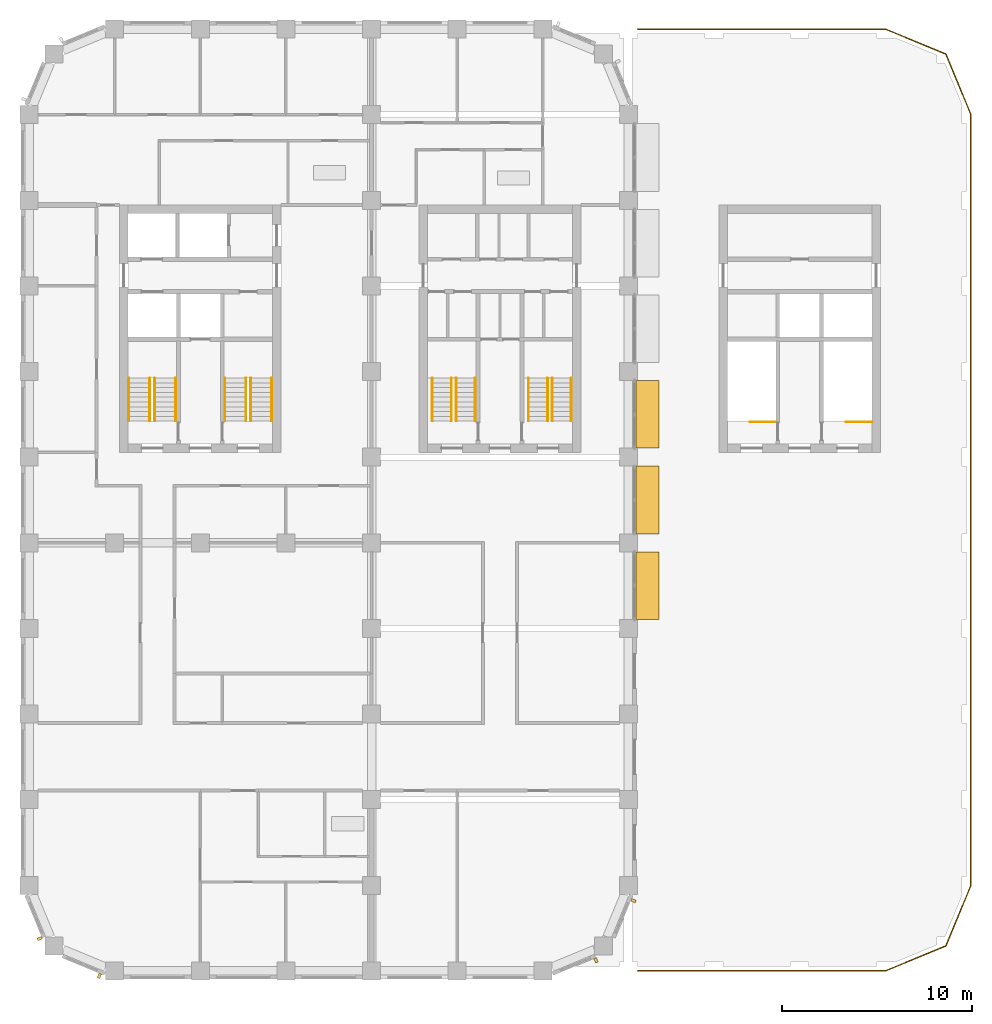
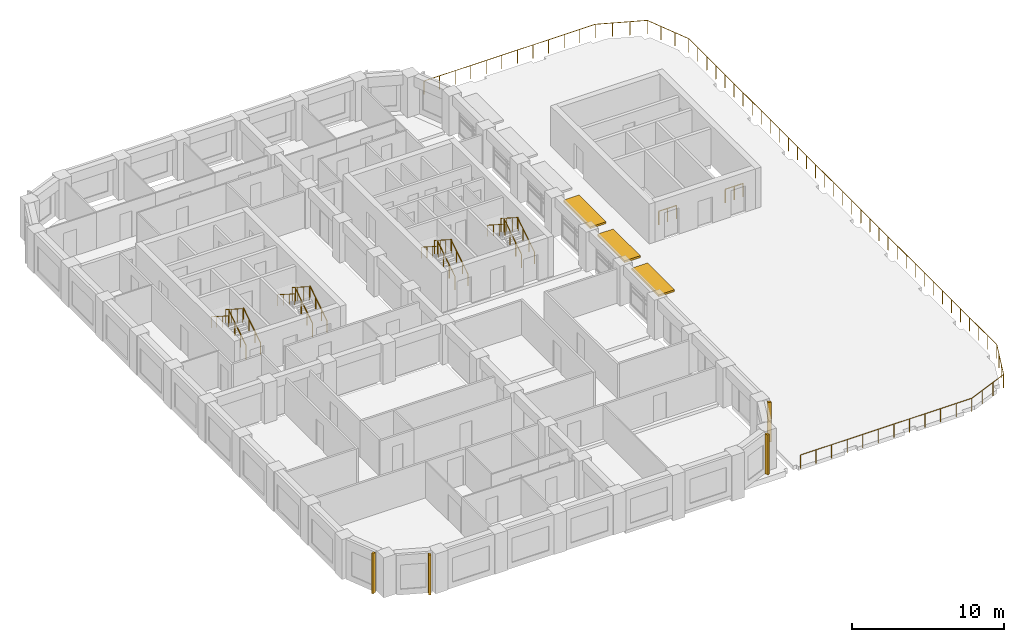
# One storey, part 13 of 15: 19 railings, 7 shading devices.
"""IFC4 building model written with IfcOpenShell, lengths in metres."""

from ifc_helpers import new_model, si_unit, direction, frame, origin, origin_2d, place, context, subcontext, project, spatial, rectangle, circle, extrude, material, layer, layer_set, type_object, element, save


model = new_model("IFC4")

# Units and contexts
model_context = context("Model", 3, precision=1e-05, world=origin(), true_north=direction((0.0, 1.0)))
body_context = subcontext(model_context, "Body", "Model", "MODEL_VIEW")
ifc_project = project(units=[si_unit("LENGTHUNIT", "METRE"), si_unit("AREAUNIT", "SQUARE_METRE"), si_unit("VOLUMEUNIT", "CUBIC_METRE"), si_unit("PLANEANGLEUNIT", "RADIAN"), si_unit("MASSUNIT", "GRAM", prefix="KILO")], contexts=[model_context])

# Site, building, storey
site_placement = place(None, origin())
site = spatial("IfcSite", under=ifc_project, at=site_placement, CompositionType="ELEMENT")
building_placement = place(site_placement, origin())
building = spatial("IfcBuilding", under=site, at=building_placement, Name="Girih Gate Residences", CompositionType="ELEMENT")
storey_placement = place(building_placement, frame((0.0, 0.0, 176.300048828125)))
storey = spatial("IfcBuildingStorey", under=building, at=storey_placement, Name="L48", CompositionType="ELEMENT", Elevation=176.300048828125)

# Shading devices
ifc_material_1 = material(Name="Precast concrete C50/60", Category="concrete")
shading_device_type_1 = type_object("IfcShadingDeviceType", Name="Corner rib 150x250", PredefinedType="USERDEFINED", material=ifc_material_1)
for number, where, z_axis, x_axis, name in (
    (1, (29.794677734375, 0.562255859375, 0.0), (0.0, 0.0, 1.0), (0.923879532511, 0.382683432365, 0.0), "Corner rib SE0270_0000.0"),
    (2, (31.760498046875, 3.691650390625, 0.0), (0.0, 0.0, 1.0), (0.382683432365, 0.923879532511, 0.0), "Corner rib SE0302_0013.0"),
    (3, (0.562255859375, 1.705322265625, 0.0), (0.0, 0.0, 1.0), (0.382683432365, -0.923879532511, 0.0), "Corner rib SW0000_0045.0"),
    (4, (3.691650390625, -0.260498046875, 0.0), (0.0, 0.0, 1.0), (0.923879532511, -0.382683432365, 0.0), "Corner rib SW0013_0013.0"),
):
    element("IfcShadingDevice", number, at=place(storey_placement, frame(where, z_axis=z_axis, x_axis=x_axis)), inside=storey, type_object=shading_device_type_1, Name=name, ObjectType="FIN", PredefinedType="USERDEFINED", context=body_context, shape_type="SweptSolid", body=[
        extrude(rectangle(XDim=0.14990234375, YDim=0.25, at=origin_2d()), origin(), (0.0, 0.0, 1.0), 3.199951171875),
    ])
ifc_material_2 = material(Name="Aluminium canopy", Category="aluminium")
ifc_layer = layer(ifc_material_2, 0.14990234375)
ifc_layer_set = layer_set([ifc_layer], Name="Sky lounge canopy 1200")
shading_device_type_2 = type_object("IfcShadingDeviceType", Name="Sky lounge canopy 1200", PredefinedType="AWNING", material=ifc_layer_set)
for number, where, z_axis, x_axis, name in (
    (5, (32.5048828125, 20.25, 2.60009765625), (0.0, 0.0, 1.0), (0.0, 1.0, 0.0), "Sky lounge canopy E0315_0045.3"),
    (6, (32.5048828125, 24.75, 2.60009765625), (0.0, 0.0, 1.0), (0.0, 1.0, 0.0), "Sky lounge canopy E0315_0045.4"),
    (7, (32.5048828125, 29.25, 2.60009765625), (0.0, 0.0, 1.0), (0.0, 1.0, 0.0), "Sky lounge canopy E0315_0045.5"),
):
    element("IfcShadingDevice", number, at=place(storey_placement, frame(where, z_axis=z_axis, x_axis=x_axis)), inside=storey, type_object=shading_device_type_2, Name=name, PredefinedType="AWNING", context=body_context, shape_type="SweptSolid", body=[
        extrude(rectangle(XDim=3.550048828125, YDim=1.199951171875, at=origin_2d()), origin(), (0.0, 0.0, 1.0), 0.14990234375),
    ])

# Railings
ifc_material_3 = material(Name="Stainless steel", Category="steel")
railing_type_1 = type_object("IfcRailingType", Name="Stair guard 1100", PredefinedType="GUARDRAIL", material=ifc_material_3)
railing_1_placement = place(storey_placement, frame((6.60009765625, 28.89990234375, 0.159912109375)))
element("IfcRailing", 8, at=railing_1_placement, inside=storey, type_object=railing_type_1, Name="L48 ST-W1 stair guard 1", PredefinedType="GUARDRAIL", context=body_context, shape_type="SweptSolid", body=[
    extrude(circle(Radius=0.02392578125, at=origin_2d()), frame((0.0, 0.0, 1.076171875), z_axis=(0.0, 0.842281359387, 0.539038135598), x_axis=(-1.0, 0.0, 0.0)), (0.0, 0.0, 1.0), 2.67138671875),
    extrude(circle(Radius=0.02099609375, at=origin_2d()), origin(), (0.0, 0.0, 1.0), 1.052001953125),
    extrude(circle(Radius=0.02099609375, at=origin_2d()), frame((0.0, 0.75, 0.47998046875)), (0.0, 0.0, 1.0), 1.052001953125),
    extrude(circle(Radius=0.02099609375, at=origin_2d()), frame((0.0, 1.5, 0.9599609375)), (0.0, 0.0, 1.0), 1.052001953125),
    extrude(circle(Radius=0.02099609375, at=origin_2d()), frame((0.0, 2.25, 1.43994140625)), (0.0, 0.0, 1.0), 1.052001953125),
])
railing_2_placement = place(storey_placement, frame((6.35009765625, 31.14990234375, 1.760009765625)))
element("IfcRailing", 9, at=railing_2_placement, inside=storey, type_object=railing_type_1, Name="L48 ST-W1 stair guard 2", PredefinedType="GUARDRAIL", context=body_context, shape_type="SweptSolid", body=[
    extrude(circle(Radius=0.02392578125, at=origin_2d()), frame((0.0, 0.0, 1.076171875), z_axis=(0.0, -0.842281359387, 0.539038135598), x_axis=(1.0, 0.0, 0.0)), (0.0, 0.0, 1.0), 2.67138671875),
    extrude(circle(Radius=0.02099609375, at=origin_2d()), origin(), (0.0, 0.0, 1.0), 1.052001953125),
    extrude(circle(Radius=0.02099609375, at=origin_2d()), frame((0.0, -0.75, 0.47998046875)), (0.0, 0.0, 1.0), 1.052001953125),
    extrude(circle(Radius=0.02099609375, at=origin_2d()), frame((0.0, -1.5, 0.9599609375)), (0.0, 0.0, 1.0), 1.052001953125),
    extrude(circle(Radius=0.02099609375, at=origin_2d()), frame((0.0, -2.25, 1.43994140625)), (0.0, 0.0, 1.0), 1.052001953125),
])
railing_3_placement = place(storey_placement, frame((11.64990234375, 28.89990234375, 0.159912109375)))
element("IfcRailing", 10, at=railing_3_placement, inside=storey, type_object=railing_type_1, Name="L48 ST-W2 stair guard 1", PredefinedType="GUARDRAIL", context=body_context, shape_type="SweptSolid", body=[
    extrude(circle(Radius=0.02392578125, at=origin_2d()), frame((0.0, 0.0, 1.076171875), z_axis=(0.0, 0.842281359387, 0.539038135598), x_axis=(-1.0, 0.0, 0.0)), (0.0, 0.0, 1.0), 2.67138671875),
    extrude(circle(Radius=0.02099609375, at=origin_2d()), origin(), (0.0, 0.0, 1.0), 1.052001953125),
    extrude(circle(Radius=0.02099609375, at=origin_2d()), frame((0.0, 0.75, 0.47998046875)), (0.0, 0.0, 1.0), 1.052001953125),
    extrude(circle(Radius=0.02099609375, at=origin_2d()), frame((0.0, 1.5, 0.9599609375)), (0.0, 0.0, 1.0), 1.052001953125),
    extrude(circle(Radius=0.02099609375, at=origin_2d()), frame((0.0, 2.25, 1.43994140625)), (0.0, 0.0, 1.0), 1.052001953125),
])
railing_4_placement = place(storey_placement, frame((11.39990234375, 31.14990234375, 1.760009765625)))
element("IfcRailing", 11, at=railing_4_placement, inside=storey, type_object=railing_type_1, Name="L48 ST-W2 stair guard 2", PredefinedType="GUARDRAIL", context=body_context, shape_type="SweptSolid", body=[
    extrude(circle(Radius=0.02392578125, at=origin_2d()), frame((0.0, 0.0, 1.076171875), z_axis=(0.0, -0.842281359387, 0.539038135598), x_axis=(1.0, 0.0, 0.0)), (0.0, 0.0, 1.0), 2.67138671875),
    extrude(circle(Radius=0.02099609375, at=origin_2d()), origin(), (0.0, 0.0, 1.0), 1.052001953125),
    extrude(circle(Radius=0.02099609375, at=origin_2d()), frame((0.0, -0.75, 0.47998046875)), (0.0, 0.0, 1.0), 1.052001953125),
    extrude(circle(Radius=0.02099609375, at=origin_2d()), frame((0.0, -1.5, 0.9599609375)), (0.0, 0.0, 1.0), 1.052001953125),
    extrude(circle(Radius=0.02099609375, at=origin_2d()), frame((0.0, -2.25, 1.43994140625)), (0.0, 0.0, 1.0), 1.052001953125),
])
for number, where, name in (
    (12, (44.300048828125, 28.85009765625, 0.0), "L48 ST-E1 top well guard 1"),
    (13, (39.25, 28.85009765625, 0.0), "L48 ST-E2 top well guard 1"),
):
    element("IfcRailing", number, at=place(storey_placement, frame(where)), inside=storey, type_object=railing_type_1, Name=name, PredefinedType="GUARDRAIL", context=body_context, shape_type="SweptSolid", body=[
        extrude(circle(Radius=0.02392578125, at=origin_2d()), frame((0.0, 0.0, 1.076171875), z_axis=(-1.0, 0.0, 0.0), x_axis=(0.0, -1.0, 0.0)), (0.0, 0.0, 1.0), 1.35009765625),
        extrude(circle(Radius=0.02099609375, at=origin_2d()), origin(), (0.0, 0.0, 1.0), 1.052001953125),
        extrude(circle(Radius=0.02099609375, at=origin_2d()), frame((-0.675048828125, 0.0, 0.0)), (0.0, 0.0, 1.0), 1.052001953125),
        extrude(circle(Radius=0.02099609375, at=origin_2d()), frame((-1.35009765625, 0.0, 0.0)), (0.0, 0.0, 1.0), 1.052001953125),
    ])
railing_5_placement = place(storey_placement, frame((22.449951171875, 28.89990234375, 0.159912109375)))
element("IfcRailing", 14, at=railing_5_placement, inside=storey, type_object=railing_type_1, Name="L48 ST-C1 stair guard 1", PredefinedType="GUARDRAIL", context=body_context, shape_type="SweptSolid", body=[
    extrude(circle(Radius=0.02392578125, at=origin_2d()), frame((0.0, 0.0, 1.076171875), z_axis=(0.0, 0.842281359387, 0.539038135598), x_axis=(-1.0, 0.0, 0.0)), (0.0, 0.0, 1.0), 2.67138671875),
    extrude(circle(Radius=0.02099609375, at=origin_2d()), origin(), (0.0, 0.0, 1.0), 1.052001953125),
    extrude(circle(Radius=0.02099609375, at=origin_2d()), frame((0.0, 0.75, 0.47998046875)), (0.0, 0.0, 1.0), 1.052001953125),
    extrude(circle(Radius=0.02099609375, at=origin_2d()), frame((0.0, 1.5, 0.9599609375)), (0.0, 0.0, 1.0), 1.052001953125),
    extrude(circle(Radius=0.02099609375, at=origin_2d()), frame((0.0, 2.25, 1.43994140625)), (0.0, 0.0, 1.0), 1.052001953125),
])
railing_6_placement = place(storey_placement, frame((22.199951171875, 31.14990234375, 1.760009765625)))
element("IfcRailing", 15, at=railing_6_placement, inside=storey, type_object=railing_type_1, Name="L48 ST-C1 stair guard 2", PredefinedType="GUARDRAIL", context=body_context, shape_type="SweptSolid", body=[
    extrude(circle(Radius=0.02392578125, at=origin_2d()), frame((0.0, 0.0, 1.076171875), z_axis=(0.0, -0.842281359387, 0.539038135598), x_axis=(1.0, 0.0, 0.0)), (0.0, 0.0, 1.0), 2.67138671875),
    extrude(circle(Radius=0.02099609375, at=origin_2d()), origin(), (0.0, 0.0, 1.0), 1.052001953125),
    extrude(circle(Radius=0.02099609375, at=origin_2d()), frame((0.0, -0.75, 0.47998046875)), (0.0, 0.0, 1.0), 1.052001953125),
    extrude(circle(Radius=0.02099609375, at=origin_2d()), frame((0.0, -1.5, 0.9599609375)), (0.0, 0.0, 1.0), 1.052001953125),
    extrude(circle(Radius=0.02099609375, at=origin_2d()), frame((0.0, -2.25, 1.43994140625)), (0.0, 0.0, 1.0), 1.052001953125),
])
railing_7_placement = place(storey_placement, frame((27.5, 28.89990234375, 0.159912109375)))
element("IfcRailing", 16, at=railing_7_placement, inside=storey, type_object=railing_type_1, Name="L48 ST-C2 stair guard 1", PredefinedType="GUARDRAIL", context=body_context, shape_type="SweptSolid", body=[
    extrude(circle(Radius=0.02392578125, at=origin_2d()), frame((0.0, 0.0, 1.076171875), z_axis=(0.0, 0.842281359387, 0.539038135598), x_axis=(-1.0, 0.0, 0.0)), (0.0, 0.0, 1.0), 2.67138671875),
    extrude(circle(Radius=0.02099609375, at=origin_2d()), origin(), (0.0, 0.0, 1.0), 1.052001953125),
    extrude(circle(Radius=0.02099609375, at=origin_2d()), frame((0.0, 0.75, 0.47998046875)), (0.0, 0.0, 1.0), 1.052001953125),
    extrude(circle(Radius=0.02099609375, at=origin_2d()), frame((0.0, 1.5, 0.9599609375)), (0.0, 0.0, 1.0), 1.052001953125),
    extrude(circle(Radius=0.02099609375, at=origin_2d()), frame((0.0, 2.25, 1.43994140625)), (0.0, 0.0, 1.0), 1.052001953125),
])
railing_8_placement = place(storey_placement, frame((27.25, 31.14990234375, 1.760009765625)))
element("IfcRailing", 17, at=railing_8_placement, inside=storey, type_object=railing_type_1, Name="L48 ST-C2 stair guard 2", PredefinedType="GUARDRAIL", context=body_context, shape_type="SweptSolid", body=[
    extrude(circle(Radius=0.02392578125, at=origin_2d()), frame((0.0, 0.0, 1.076171875), z_axis=(0.0, -0.842281359387, 0.539038135598), x_axis=(1.0, 0.0, 0.0)), (0.0, 0.0, 1.0), 2.67138671875),
    extrude(circle(Radius=0.02099609375, at=origin_2d()), origin(), (0.0, 0.0, 1.0), 1.052001953125),
    extrude(circle(Radius=0.02099609375, at=origin_2d()), frame((0.0, -0.75, 0.47998046875)), (0.0, 0.0, 1.0), 1.052001953125),
    extrude(circle(Radius=0.02099609375, at=origin_2d()), frame((0.0, -1.5, 0.9599609375)), (0.0, 0.0, 1.0), 1.052001953125),
    extrude(circle(Radius=0.02099609375, at=origin_2d()), frame((0.0, -2.25, 1.43994140625)), (0.0, 0.0, 1.0), 1.052001953125),
])
railing_type_2 = type_object("IfcRailingType", Name="Stair handrail 900", PredefinedType="HANDRAIL", material=ifc_material_3)
railing_9_placement = place(storey_placement, frame((7.699951171875, 28.89990234375, 0.159912109375)))
element("IfcRailing", 18, at=railing_9_placement, inside=storey, type_object=railing_type_2, Name="L48 ST-W1 stair handrail 1", PredefinedType="HANDRAIL", context=body_context, shape_type="SweptSolid", body=[
    extrude(circle(Radius=0.02392578125, at=origin_2d()), frame((0.0, 0.0, 0.8857421875), z_axis=(0.0, 0.842281359387, 0.539038135598), x_axis=(-1.0, 0.0, 0.0)), (0.0, 0.0, 1.0), 2.67138671875),
    extrude(circle(Radius=0.02099609375, at=origin_2d()), origin(), (0.0, 0.0, 1.0), 0.86181640625),
    extrude(circle(Radius=0.02099609375, at=origin_2d()), frame((0.0, 0.75, 0.47998046875)), (0.0, 0.0, 1.0), 0.86181640625),
    extrude(circle(Radius=0.02099609375, at=origin_2d()), frame((0.0, 1.5, 0.9599609375)), (0.0, 0.0, 1.0), 0.86181640625),
    extrude(circle(Radius=0.02099609375, at=origin_2d()), frame((0.0, 2.25, 1.43994140625)), (0.0, 0.0, 1.0), 0.86181640625),
])
railing_10_placement = place(storey_placement, frame((5.25, 31.14990234375, 1.760009765625)))
element("IfcRailing", 19, at=railing_10_placement, inside=storey, type_object=railing_type_2, Name="L48 ST-W1 stair handrail 2", PredefinedType="HANDRAIL", context=body_context, shape_type="SweptSolid", body=[
    extrude(circle(Radius=0.02392578125, at=origin_2d()), frame((0.0, 0.0, 0.8857421875), z_axis=(0.0, -0.842281359387, 0.539038135598), x_axis=(1.0, 0.0, 0.0)), (0.0, 0.0, 1.0), 2.67138671875),
    extrude(circle(Radius=0.02099609375, at=origin_2d()), origin(), (0.0, 0.0, 1.0), 0.86181640625),
    extrude(circle(Radius=0.02099609375, at=origin_2d()), frame((0.0, -0.75, 0.47998046875)), (0.0, 0.0, 1.0), 0.86181640625),
    extrude(circle(Radius=0.02099609375, at=origin_2d()), frame((0.0, -1.5, 0.9599609375)), (0.0, 0.0, 1.0), 0.86181640625),
    extrude(circle(Radius=0.02099609375, at=origin_2d()), frame((0.0, -2.25, 1.43994140625)), (0.0, 0.0, 1.0), 0.86181640625),
])
railing_11_placement = place(storey_placement, frame((12.75, 28.89990234375, 0.159912109375)))
element("IfcRailing", 20, at=railing_11_placement, inside=storey, type_object=railing_type_2, Name="L48 ST-W2 stair handrail 1", PredefinedType="HANDRAIL", context=body_context, shape_type="SweptSolid", body=[
    extrude(circle(Radius=0.02392578125, at=origin_2d()), frame((0.0, 0.0, 0.8857421875), z_axis=(0.0, 0.842281359387, 0.539038135598), x_axis=(-1.0, 0.0, 0.0)), (0.0, 0.0, 1.0), 2.67138671875),
    extrude(circle(Radius=0.02099609375, at=origin_2d()), origin(), (0.0, 0.0, 1.0), 0.86181640625),
    extrude(circle(Radius=0.02099609375, at=origin_2d()), frame((0.0, 0.75, 0.47998046875)), (0.0, 0.0, 1.0), 0.86181640625),
    extrude(circle(Radius=0.02099609375, at=origin_2d()), frame((0.0, 1.5, 0.9599609375)), (0.0, 0.0, 1.0), 0.86181640625),
    extrude(circle(Radius=0.02099609375, at=origin_2d()), frame((0.0, 2.25, 1.43994140625)), (0.0, 0.0, 1.0), 0.86181640625),
])
railing_12_placement = place(storey_placement, frame((10.300048828125, 31.14990234375, 1.760009765625)))
element("IfcRailing", 21, at=railing_12_placement, inside=storey, type_object=railing_type_2, Name="L48 ST-W2 stair handrail 2", PredefinedType="HANDRAIL", context=body_context, shape_type="SweptSolid", body=[
    extrude(circle(Radius=0.02392578125, at=origin_2d()), frame((0.0, 0.0, 0.8857421875), z_axis=(0.0, -0.842281359387, 0.539038135598), x_axis=(1.0, 0.0, 0.0)), (0.0, 0.0, 1.0), 2.67138671875),
    extrude(circle(Radius=0.02099609375, at=origin_2d()), origin(), (0.0, 0.0, 1.0), 0.86181640625),
    extrude(circle(Radius=0.02099609375, at=origin_2d()), frame((0.0, -0.75, 0.47998046875)), (0.0, 0.0, 1.0), 0.86181640625),
    extrude(circle(Radius=0.02099609375, at=origin_2d()), frame((0.0, -1.5, 0.9599609375)), (0.0, 0.0, 1.0), 0.86181640625),
    extrude(circle(Radius=0.02099609375, at=origin_2d()), frame((0.0, -2.25, 1.43994140625)), (0.0, 0.0, 1.0), 0.86181640625),
])
railing_13_placement = place(storey_placement, frame((23.449951171875, 28.89990234375, 0.159912109375)))
element("IfcRailing", 22, at=railing_13_placement, inside=storey, type_object=railing_type_2, Name="L48 ST-C1 stair handrail 1", PredefinedType="HANDRAIL", context=body_context, shape_type="SweptSolid", body=[
    extrude(circle(Radius=0.02392578125, at=origin_2d()), frame((0.0, 0.0, 0.8857421875), z_axis=(0.0, 0.842281359387, 0.539038135598), x_axis=(-1.0, 0.0, 0.0)), (0.0, 0.0, 1.0), 2.67138671875),
    extrude(circle(Radius=0.02099609375, at=origin_2d()), origin(), (0.0, 0.0, 1.0), 0.86181640625),
    extrude(circle(Radius=0.02099609375, at=origin_2d()), frame((0.0, 0.75, 0.47998046875)), (0.0, 0.0, 1.0), 0.86181640625),
    extrude(circle(Radius=0.02099609375, at=origin_2d()), frame((0.0, 1.5, 0.9599609375)), (0.0, 0.0, 1.0), 0.86181640625),
    extrude(circle(Radius=0.02099609375, at=origin_2d()), frame((0.0, 2.25, 1.43994140625)), (0.0, 0.0, 1.0), 0.86181640625),
])
railing_14_placement = place(storey_placement, frame((21.199951171875, 31.14990234375, 1.760009765625)))
element("IfcRailing", 23, at=railing_14_placement, inside=storey, type_object=railing_type_2, Name="L48 ST-C1 stair handrail 2", PredefinedType="HANDRAIL", context=body_context, shape_type="SweptSolid", body=[
    extrude(circle(Radius=0.02392578125, at=origin_2d()), frame((0.0, 0.0, 0.8857421875), z_axis=(0.0, -0.842281359387, 0.539038135598), x_axis=(1.0, 0.0, 0.0)), (0.0, 0.0, 1.0), 2.67138671875),
    extrude(circle(Radius=0.02099609375, at=origin_2d()), origin(), (0.0, 0.0, 1.0), 0.86181640625),
    extrude(circle(Radius=0.02099609375, at=origin_2d()), frame((0.0, -0.75, 0.47998046875)), (0.0, 0.0, 1.0), 0.86181640625),
    extrude(circle(Radius=0.02099609375, at=origin_2d()), frame((0.0, -1.5, 0.9599609375)), (0.0, 0.0, 1.0), 0.86181640625),
    extrude(circle(Radius=0.02099609375, at=origin_2d()), frame((0.0, -2.25, 1.43994140625)), (0.0, 0.0, 1.0), 0.86181640625),
])
railing_15_placement = place(storey_placement, frame((28.5, 28.89990234375, 0.159912109375)))
element("IfcRailing", 24, at=railing_15_placement, inside=storey, type_object=railing_type_2, Name="L48 ST-C2 stair handrail 1", PredefinedType="HANDRAIL", context=body_context, shape_type="SweptSolid", body=[
    extrude(circle(Radius=0.02392578125, at=origin_2d()), frame((0.0, 0.0, 0.8857421875), z_axis=(0.0, 0.842281359387, 0.539038135598), x_axis=(-1.0, 0.0, 0.0)), (0.0, 0.0, 1.0), 2.67138671875),
    extrude(circle(Radius=0.02099609375, at=origin_2d()), origin(), (0.0, 0.0, 1.0), 0.86181640625),
    extrude(circle(Radius=0.02099609375, at=origin_2d()), frame((0.0, 0.75, 0.47998046875)), (0.0, 0.0, 1.0), 0.86181640625),
    extrude(circle(Radius=0.02099609375, at=origin_2d()), frame((0.0, 1.5, 0.9599609375)), (0.0, 0.0, 1.0), 0.86181640625),
    extrude(circle(Radius=0.02099609375, at=origin_2d()), frame((0.0, 2.25, 1.43994140625)), (0.0, 0.0, 1.0), 0.86181640625),
])
railing_16_placement = place(storey_placement, frame((26.25, 31.14990234375, 1.760009765625)))
element("IfcRailing", 25, at=railing_16_placement, inside=storey, type_object=railing_type_2, Name="L48 ST-C2 stair handrail 2", PredefinedType="HANDRAIL", context=body_context, shape_type="SweptSolid", body=[
    extrude(circle(Radius=0.02392578125, at=origin_2d()), frame((0.0, 0.0, 0.8857421875), z_axis=(0.0, -0.842281359387, 0.539038135598), x_axis=(1.0, 0.0, 0.0)), (0.0, 0.0, 1.0), 2.67138671875),
    extrude(circle(Radius=0.02099609375, at=origin_2d()), origin(), (0.0, 0.0, 1.0), 0.86181640625),
    extrude(circle(Radius=0.02099609375, at=origin_2d()), frame((0.0, -0.75, 0.47998046875)), (0.0, 0.0, 1.0), 0.86181640625),
    extrude(circle(Radius=0.02099609375, at=origin_2d()), frame((0.0, -1.5, 0.9599609375)), (0.0, 0.0, 1.0), 0.86181640625),
    extrude(circle(Radius=0.02099609375, at=origin_2d()), frame((0.0, -2.25, 1.43994140625)), (0.0, 0.0, 1.0), 0.86181640625),
])
ifc_material_4 = material(Name="Stainless steel and laminated glass", Category="steel")
railing_type_3 = type_object("IfcRailingType", Name="Terrace guard 1100", PredefinedType="GUARDRAIL", material=ifc_material_4)
railing_17_placement = place(storey_placement, frame((32.0, 0.0, 0.0)))
element("IfcRailing", 26, at=railing_17_placement, inside=storey, type_object=railing_type_3, Name="Terrace guard Sky terrace 1", PredefinedType="GUARDRAIL", context=body_context, shape_type="SweptSolid", body=[
    extrude(circle(Radius=0.02490234375, at=origin_2d()), frame((0.0, 0.0, 1.0751953125), z_axis=(1.0, 0.0, 0.0), x_axis=(0.0, 1.0, 0.0)), (0.0, 0.0, 1.0), 13.0),
    extrude(circle(Radius=0.02490234375, at=origin_2d()), frame((13.0, 0.0, 1.0751953125), z_axis=(0.923865631356, 0.382716990999, 0.0), x_axis=(-0.382716990999, 0.923865631356, 0.0)), (0.0, 0.0, 1.0), 3.444091796875),
    extrude(circle(Radius=0.02490234375, at=origin_2d()), frame((16.181884765625, 1.318115234375, 1.0751953125), z_axis=(0.382716990999, 0.923865631356, 0.0), x_axis=(-0.923865631356, 0.382716990999, 0.0)), (0.0, 0.0, 1.0), 3.444091796875),
    extrude(circle(Radius=0.02490234375, at=origin_2d()), frame((17.5, 4.5, 1.0751953125), z_axis=(0.0, 1.0, 0.0), x_axis=(-1.0, 0.0, 0.0)), (0.0, 0.0, 1.0), 40.5),
    extrude(circle(Radius=0.02490234375, at=origin_2d()), frame((17.5, 45.0, 1.0751953125), z_axis=(-0.382716990999, 0.923865631356, 0.0), x_axis=(-0.923865631356, -0.382716990999, 0.0)), (0.0, 0.0, 1.0), 3.444091796875),
    extrude(circle(Radius=0.02490234375, at=origin_2d()), frame((16.181884765625, 48.181884765625, 1.0751953125), z_axis=(-0.923865631356, 0.382716990999, 0.0), x_axis=(-0.382716990999, -0.923865631356, 0.0)), (0.0, 0.0, 1.0), 3.444091796875),
    extrude(circle(Radius=0.02490234375, at=origin_2d()), frame((13.0, 49.5, 1.0751953125), z_axis=(-1.0, 0.0, 0.0), x_axis=(0.0, -1.0, 0.0)), (0.0, 0.0, 1.0), 13.0),
    extrude(circle(Radius=0.02490234375, at=origin_2d()), origin(), (0.0, 0.0, 1.0), 1.050048828125),
    extrude(circle(Radius=0.02490234375, at=origin_2d()), frame((1.181884765625, 0.0, 0.0)), (0.0, 0.0, 1.0), 1.050048828125),
    extrude(circle(Radius=0.02490234375, at=origin_2d()), frame((2.363525390625, 0.0, 0.0)), (0.0, 0.0, 1.0), 1.050048828125),
    extrude(circle(Radius=0.02490234375, at=origin_2d()), frame((3.54541015625, 0.0, 0.0)), (0.0, 0.0, 1.0), 1.050048828125),
    extrude(circle(Radius=0.02490234375, at=origin_2d()), frame((4.727294921875, 0.0, 0.0)), (0.0, 0.0, 1.0), 1.050048828125),
    extrude(circle(Radius=0.02490234375, at=origin_2d()), frame((5.9091796875, 0.0, 0.0)), (0.0, 0.0, 1.0), 1.050048828125),
    extrude(circle(Radius=0.02490234375, at=origin_2d()), frame((7.0908203125, 0.0, 0.0)), (0.0, 0.0, 1.0), 1.050048828125),
    extrude(circle(Radius=0.02490234375, at=origin_2d()), frame((8.272705078125, 0.0, 0.0)), (0.0, 0.0, 1.0), 1.050048828125),
    extrude(circle(Radius=0.02490234375, at=origin_2d()), frame((9.45458984375, 0.0, 0.0)), (0.0, 0.0, 1.0), 1.050048828125),
    extrude(circle(Radius=0.02490234375, at=origin_2d()), frame((10.636474609375, 0.0, 0.0)), (0.0, 0.0, 1.0), 1.050048828125),
    extrude(circle(Radius=0.02490234375, at=origin_2d()), frame((11.818115234375, 0.0, 0.0)), (0.0, 0.0, 1.0), 1.050048828125),
    extrude(circle(Radius=0.02490234375, at=origin_2d()), frame((13.0, 0.0, 0.0)), (0.0, 0.0, 1.0), 1.050048828125),
    extrude(circle(Radius=0.02490234375, at=origin_2d()), frame((14.060546875, 0.439453125, 0.0)), (0.0, 0.0, 1.0), 1.050048828125),
    extrude(circle(Radius=0.02490234375, at=origin_2d()), frame((15.121337890625, 0.878662109375, 0.0)), (0.0, 0.0, 1.0), 1.050048828125),
    extrude(circle(Radius=0.02490234375, at=origin_2d()), frame((16.181884765625, 1.318115234375, 0.0)), (0.0, 0.0, 1.0), 1.050048828125),
    extrude(circle(Radius=0.02490234375, at=origin_2d()), frame((16.621337890625, 2.378662109375, 0.0)), (0.0, 0.0, 1.0), 1.050048828125),
    extrude(circle(Radius=0.02490234375, at=origin_2d()), frame((17.060546875, 3.439453125, 0.0)), (0.0, 0.0, 1.0), 1.050048828125),
    extrude(circle(Radius=0.02490234375, at=origin_2d()), frame((17.5, 4.5, 0.0)), (0.0, 0.0, 1.0), 1.050048828125),
    extrude(circle(Radius=0.02490234375, at=origin_2d()), frame((17.5, 5.691162109375, 0.0)), (0.0, 0.0, 1.0), 1.050048828125),
    extrude(circle(Radius=0.02490234375, at=origin_2d()), frame((17.5, 6.88232421875, 0.0)), (0.0, 0.0, 1.0), 1.050048828125),
    extrude(circle(Radius=0.02490234375, at=origin_2d()), frame((17.5, 8.073486328125, 0.0)), (0.0, 0.0, 1.0), 1.050048828125),
    extrude(circle(Radius=0.02490234375, at=origin_2d()), frame((17.5, 9.2646484375, 0.0)), (0.0, 0.0, 1.0), 1.050048828125),
    extrude(circle(Radius=0.02490234375, at=origin_2d()), frame((17.5, 10.455810546875, 0.0)), (0.0, 0.0, 1.0), 1.050048828125),
    extrude(circle(Radius=0.02490234375, at=origin_2d()), frame((17.5, 11.64697265625, 0.0)), (0.0, 0.0, 1.0), 1.050048828125),
    extrude(circle(Radius=0.02490234375, at=origin_2d()), frame((17.5, 12.838134765625, 0.0)), (0.0, 0.0, 1.0), 1.050048828125),
    extrude(circle(Radius=0.02490234375, at=origin_2d()), frame((17.5, 14.029296875, 0.0)), (0.0, 0.0, 1.0), 1.050048828125),
    extrude(circle(Radius=0.02490234375, at=origin_2d()), frame((17.5, 15.220703125, 0.0)), (0.0, 0.0, 1.0), 1.050048828125),
    extrude(circle(Radius=0.02490234375, at=origin_2d()), frame((17.5, 16.411865234375, 0.0)), (0.0, 0.0, 1.0), 1.050048828125),
    extrude(circle(Radius=0.02490234375, at=origin_2d()), frame((17.5, 17.60302734375, 0.0)), (0.0, 0.0, 1.0), 1.050048828125),
    extrude(circle(Radius=0.02490234375, at=origin_2d()), frame((17.5, 18.794189453125, 0.0)), (0.0, 0.0, 1.0), 1.050048828125),
    extrude(circle(Radius=0.02490234375, at=origin_2d()), frame((17.5, 19.9853515625, 0.0)), (0.0, 0.0, 1.0), 1.050048828125),
    extrude(circle(Radius=0.02490234375, at=origin_2d()), frame((17.5, 21.176513671875, 0.0)), (0.0, 0.0, 1.0), 1.050048828125),
    extrude(circle(Radius=0.02490234375, at=origin_2d()), frame((17.5, 22.36767578125, 0.0)), (0.0, 0.0, 1.0), 1.050048828125),
    extrude(circle(Radius=0.02490234375, at=origin_2d()), frame((17.5, 23.558837890625, 0.0)), (0.0, 0.0, 1.0), 1.050048828125),
    extrude(circle(Radius=0.02490234375, at=origin_2d()), frame((17.5, 24.75, 0.0)), (0.0, 0.0, 1.0), 1.050048828125),
    extrude(circle(Radius=0.02490234375, at=origin_2d()), frame((17.5, 25.941162109375, 0.0)), (0.0, 0.0, 1.0), 1.050048828125),
    extrude(circle(Radius=0.02490234375, at=origin_2d()), frame((17.5, 27.13232421875, 0.0)), (0.0, 0.0, 1.0), 1.050048828125),
    extrude(circle(Radius=0.02490234375, at=origin_2d()), frame((17.5, 28.323486328125, 0.0)), (0.0, 0.0, 1.0), 1.050048828125),
    extrude(circle(Radius=0.02490234375, at=origin_2d()), frame((17.5, 29.5146484375, 0.0)), (0.0, 0.0, 1.0), 1.050048828125),
    extrude(circle(Radius=0.02490234375, at=origin_2d()), frame((17.5, 30.705810546875, 0.0)), (0.0, 0.0, 1.0), 1.050048828125),
    extrude(circle(Radius=0.02490234375, at=origin_2d()), frame((17.5, 31.89697265625, 0.0)), (0.0, 0.0, 1.0), 1.050048828125),
    extrude(circle(Radius=0.02490234375, at=origin_2d()), frame((17.5, 33.088134765625, 0.0)), (0.0, 0.0, 1.0), 1.050048828125),
    extrude(circle(Radius=0.02490234375, at=origin_2d()), frame((17.5, 34.279296875, 0.0)), (0.0, 0.0, 1.0), 1.050048828125),
    extrude(circle(Radius=0.02490234375, at=origin_2d()), frame((17.5, 35.470703125, 0.0)), (0.0, 0.0, 1.0), 1.050048828125),
    extrude(circle(Radius=0.02490234375, at=origin_2d()), frame((17.5, 36.661865234375, 0.0)), (0.0, 0.0, 1.0), 1.050048828125),
    extrude(circle(Radius=0.02490234375, at=origin_2d()), frame((17.5, 37.85302734375, 0.0)), (0.0, 0.0, 1.0), 1.050048828125),
    extrude(circle(Radius=0.02490234375, at=origin_2d()), frame((17.5, 39.044189453125, 0.0)), (0.0, 0.0, 1.0), 1.050048828125),
    extrude(circle(Radius=0.02490234375, at=origin_2d()), frame((17.5, 40.2353515625, 0.0)), (0.0, 0.0, 1.0), 1.050048828125),
    extrude(circle(Radius=0.02490234375, at=origin_2d()), frame((17.5, 41.426513671875, 0.0)), (0.0, 0.0, 1.0), 1.050048828125),
    extrude(circle(Radius=0.02490234375, at=origin_2d()), frame((17.5, 42.61767578125, 0.0)), (0.0, 0.0, 1.0), 1.050048828125),
    extrude(circle(Radius=0.02490234375, at=origin_2d()), frame((17.5, 43.808837890625, 0.0)), (0.0, 0.0, 1.0), 1.050048828125),
    extrude(circle(Radius=0.02490234375, at=origin_2d()), frame((17.5, 45.0, 0.0)), (0.0, 0.0, 1.0), 1.050048828125),
    extrude(circle(Radius=0.02490234375, at=origin_2d()), frame((17.060546875, 46.060546875, 0.0)), (0.0, 0.0, 1.0), 1.050048828125),
    extrude(circle(Radius=0.02490234375, at=origin_2d()), frame((16.621337890625, 47.121337890625, 0.0)), (0.0, 0.0, 1.0), 1.050048828125),
    extrude(circle(Radius=0.02490234375, at=origin_2d()), frame((16.181884765625, 48.181884765625, 0.0)), (0.0, 0.0, 1.0), 1.050048828125),
    extrude(circle(Radius=0.02490234375, at=origin_2d()), frame((15.121337890625, 48.621337890625, 0.0)), (0.0, 0.0, 1.0), 1.050048828125),
    extrude(circle(Radius=0.02490234375, at=origin_2d()), frame((14.060546875, 49.060546875, 0.0)), (0.0, 0.0, 1.0), 1.050048828125),
    extrude(circle(Radius=0.02490234375, at=origin_2d()), frame((13.0, 49.5, 0.0)), (0.0, 0.0, 1.0), 1.050048828125),
    extrude(circle(Radius=0.02490234375, at=origin_2d()), frame((11.818115234375, 49.5, 0.0)), (0.0, 0.0, 1.0), 1.050048828125),
    extrude(circle(Radius=0.02490234375, at=origin_2d()), frame((10.636474609375, 49.5, 0.0)), (0.0, 0.0, 1.0), 1.050048828125),
    extrude(circle(Radius=0.02490234375, at=origin_2d()), frame((9.45458984375, 49.5, 0.0)), (0.0, 0.0, 1.0), 1.050048828125),
    extrude(circle(Radius=0.02490234375, at=origin_2d()), frame((8.272705078125, 49.5, 0.0)), (0.0, 0.0, 1.0), 1.050048828125),
    extrude(circle(Radius=0.02490234375, at=origin_2d()), frame((7.0908203125, 49.5, 0.0)), (0.0, 0.0, 1.0), 1.050048828125),
    extrude(circle(Radius=0.02490234375, at=origin_2d()), frame((5.9091796875, 49.5, 0.0)), (0.0, 0.0, 1.0), 1.050048828125),
    extrude(circle(Radius=0.02490234375, at=origin_2d()), frame((4.727294921875, 49.5, 0.0)), (0.0, 0.0, 1.0), 1.050048828125),
    extrude(circle(Radius=0.02490234375, at=origin_2d()), frame((3.54541015625, 49.5, 0.0)), (0.0, 0.0, 1.0), 1.050048828125),
    extrude(circle(Radius=0.02490234375, at=origin_2d()), frame((2.363525390625, 49.5, 0.0)), (0.0, 0.0, 1.0), 1.050048828125),
    extrude(circle(Radius=0.02490234375, at=origin_2d()), frame((1.181884765625, 49.5, 0.0)), (0.0, 0.0, 1.0), 1.050048828125),
    extrude(circle(Radius=0.02490234375, at=origin_2d()), frame((0.0, 49.5, 0.0)), (0.0, 0.0, 1.0), 1.050048828125),
])

save(model, "model.ifc")
